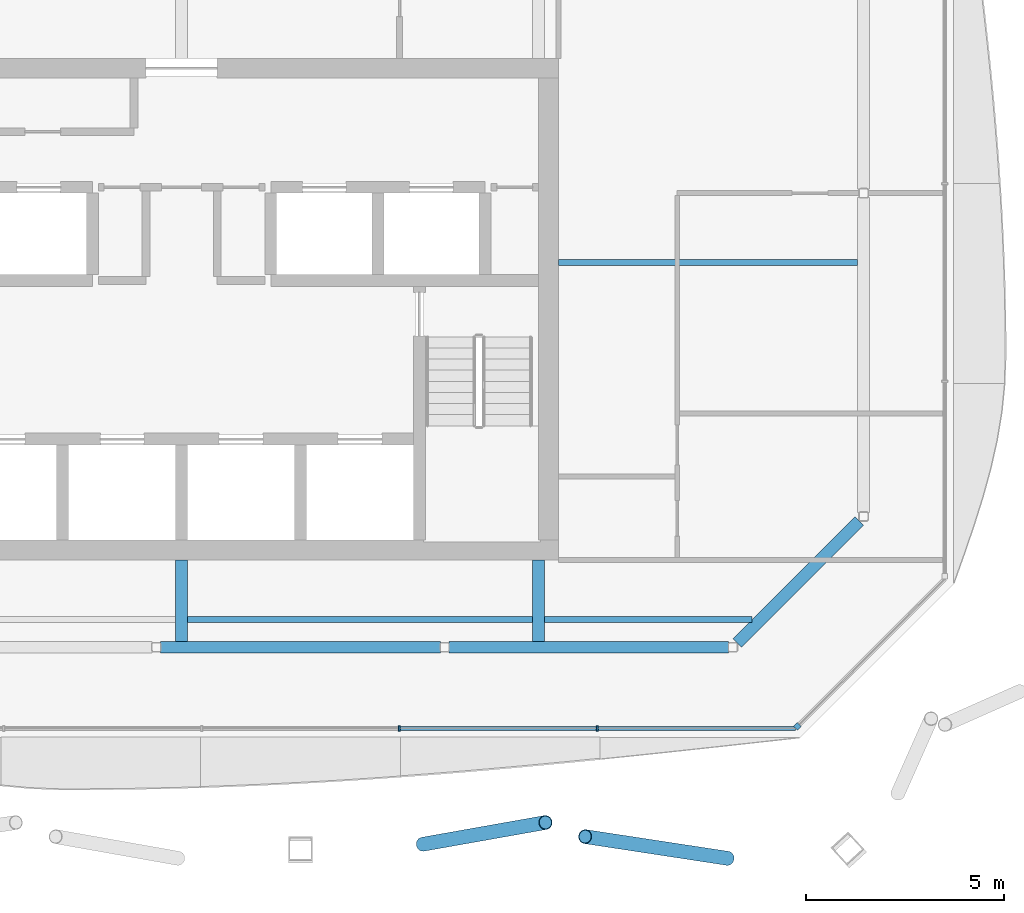
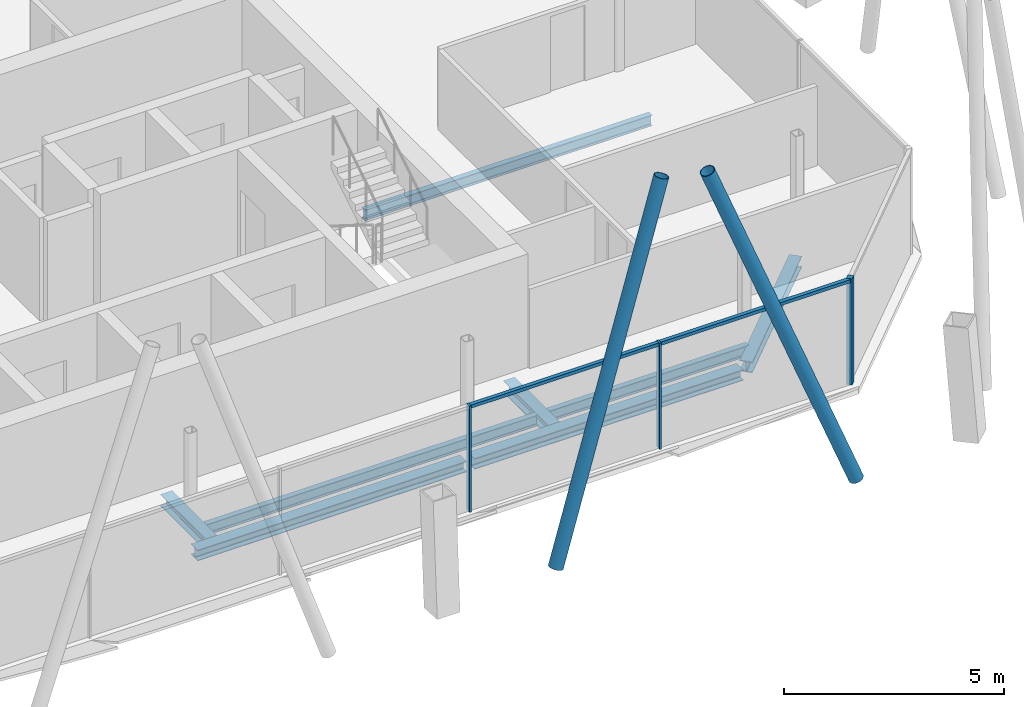
# One storey, part 4 of 14: 8 beams, 7 members, 2 elements without a shape of their own.
"""IFC4 building model written with IfcOpenShell, lengths in metres."""

from ifc_helpers import new_model, si_unit, direction, frame, origin, origin_2d, place, context, subcontext, project, spatial, rectangle, hollow_circle, i_section, extrude, material, material_profile, profile_set, type_object, element, aggregate, save


model = new_model("IFC4")

# Units and contexts
model_context = context("Model", 3, precision=1e-05, world=origin(), true_north=direction((0.0, 1.0)))
body_context = subcontext(model_context, "Body", "Model", "MODEL_VIEW")
ifc_project = project(units=[si_unit("LENGTHUNIT", "METRE"), si_unit("AREAUNIT", "SQUARE_METRE"), si_unit("VOLUMEUNIT", "CUBIC_METRE"), si_unit("PLANEANGLEUNIT", "RADIAN"), si_unit("MASSUNIT", "GRAM", prefix="KILO")], contexts=[model_context])

# Site, building, storey
site_placement = place(None, origin())
site = spatial("IfcSite", under=ifc_project, at=site_placement, CompositionType="ELEMENT")
building_placement = place(site_placement, origin())
building = spatial("IfcBuilding", under=site, at=building_placement, Name="Tskaro Facet Tower", CompositionType="ELEMENT")
storey_placement = place(building_placement, frame((0.0, 0.0, 268.949951171875)))
storey = spatial("IfcBuildingStorey", under=building, at=storey_placement, Name="L71", CompositionType="ELEMENT", Elevation=268.949951171875)

# Members
ifc_material_1 = material(Name="Steel S355J2H", Category="steel")
ifc_material_profile_1 = material_profile(ifc_material_1, hollow_circle(Radius=0.177734375, WallThickness=0.01611328125, at=origin_2d()), Name="CHS 355.6x16")
ifc_profile_set_1 = profile_set([ifc_material_profile_1], Name="Steel S355J2H")
member_type_1 = type_object("IfcMemberType", Name="CHS 355.6x16 brace", PredefinedType="BRACE", material=ifc_profile_set_1)
member_1_placement = place(storey_placement, frame((6.08837890625, -19.16748046875, 0.0), z_axis=(0.310196990074, 0.055021899117, 0.949078720637), x_axis=(-0.174651062893, 0.98463039067, 0.0)))
element("IfcMember", 1, at=member_1_placement, inside=storey, type_object=member_type_1, Name="CHS 355.6x16 XB02A/6", PredefinedType="BRACE", context=body_context, shape_type="SweptSolid", body=[
    extrude(hollow_circle(Radius=0.177734375, WallThickness=0.01611328125, at=origin_2d()), origin(), (0.0, 0.0, 1.0), 9.95703125),
])
member_2_placement = place(storey_placement, frame((13.766357421875, -19.52294921875, 0.0), z_axis=(-0.354515168788, 0.054093709088, 0.933484261108), x_axis=(-0.150839203541, -0.988558311216, 0.0)))
element("IfcMember", 2, at=member_2_placement, inside=storey, type_object=member_type_1, Name="CHS 355.6x16 XB02B/6", PredefinedType="BRACE", context=body_context, shape_type="SweptSolid", body=[
    extrude(hollow_circle(Radius=0.177734375, WallThickness=0.01611328125, at=origin_2d()), origin(), (0.0, 0.0, 1.0), 10.123291015625),
])

# Curtain wall, member
ifc_material_2 = material(Name="Bronze anodised aluminium 6063-T6", Category="aluminium")
curtain_wall_type = type_object("IfcCurtainWallType", Name="Bronze residence curtain wall (FW3)", PredefinedType="NOTDEFINED", material=ifc_material_2)
curtain_wall_1_placement = place(storey_placement, origin())
curtain_wall_1 = element("IfcCurtainWall", 3, at=curtain_wall_1_placement, inside=storey, type_object=curtain_wall_type, Name="FW3 south-east facet L71", PredefinedType="NOTDEFINED")
ifc_material_profile_2 = material_profile(ifc_material_2, rectangle(XDim=0.139892578125, YDim=0.139892578125, at=origin_2d()), Name="Corner post 140x140")
ifc_profile_set_2 = profile_set([ifc_material_profile_2], Name="Bronze anodised aluminium 6063-T6")
member_type_2 = type_object("IfcMemberType", Name="FW3 bronze corner post 140x140", PredefinedType="MULLION", material=ifc_profile_set_2)
member_3_placement = place(storey_placement, frame((15.528564453125, -16.196533203125, 0.0), z_axis=(0.0, 0.0, 1.0), x_axis=(0.707106781187, 0.707106781187, 0.0)))
member_3 = element("IfcMember", 4, at=member_3_placement, type_object=member_type_2, Name="FW3 south-east corner post", PredefinedType="MULLION", context=body_context, shape_type="SweptSolid", body=[
    extrude(rectangle(XDim=0.139892578125, YDim=0.139892578125, at=origin_2d()), origin(), (0.0, 0.0, 1.0), 2.949951171875),
])
aggregate(curtain_wall_1, [member_3])

# Curtain wall, members
curtain_wall_2_placement = place(storey_placement, origin())
curtain_wall_2 = element("IfcCurtainWall", 5, at=curtain_wall_2_placement, inside=storey, type_object=curtain_wall_type, Name="FW3 south facet L71", PredefinedType="NOTDEFINED")
ifc_material_profile_3 = material_profile(ifc_material_2, rectangle(XDim=0.050048828125, YDim=0.139892578125, at=origin_2d()), Name="Mullion 50x140")
ifc_profile_set_3 = profile_set([ifc_material_profile_3], Name="Bronze anodised aluminium 6063-T6")
member_type_3 = type_object("IfcMemberType", Name="FW3 bronze mullion 50x140", PredefinedType="MULLION", material=ifc_profile_set_3)
member_4_placement = place(storey_placement, frame((5.495849609375, -16.24609375, 0.0), z_axis=(0.0, 0.0, 1.0), x_axis=(1.0, 0.0, 0.0)))
member_4 = element("IfcMember", 6, at=member_4_placement, type_object=member_type_3, Name="FW3 south mullion 3", PredefinedType="MULLION", context=body_context, shape_type="SweptSolid", body=[
    extrude(rectangle(XDim=0.050048828125, YDim=0.139892578125, at=origin_2d()), origin(), (0.0, 0.0, 1.0), 2.949951171875),
])
member_5_placement = place(storey_placement, frame((10.4873046875, -16.24609375, 0.0), z_axis=(0.0, 0.0, 1.0), x_axis=(1.0, 0.0, 0.0)))
member_5 = element("IfcMember", 7, at=member_5_placement, type_object=member_type_3, Name="FW3 south mullion 4", PredefinedType="MULLION", context=body_context, shape_type="SweptSolid", body=[
    extrude(rectangle(XDim=0.050048828125, YDim=0.139892578125, at=origin_2d()), origin(), (0.0, 0.0, 1.0), 2.949951171875),
])
ifc_material_profile_4 = material_profile(ifc_material_2, rectangle(XDim=0.10009765625, YDim=0.090087890625, at=origin_2d()), Name="Transom 100x90")
ifc_profile_set_4 = profile_set([ifc_material_profile_4], Name="Bronze anodised aluminium 6063-T6")
member_type_4 = type_object("IfcMemberType", Name="FW3 bronze transom 100x90", PredefinedType="USERDEFINED", material=ifc_profile_set_4)
member_6_placement = place(storey_placement, frame((5.520751953125, -16.24609375, 2.905029296875), z_axis=(1.0, 0.0, 0.0), x_axis=(0.0, 1.0, 0.0)))
member_6 = element("IfcMember", 8, at=member_6_placement, type_object=member_type_4, Name="FW3 south transom 4.1", ObjectType="TRANSOM", PredefinedType="USERDEFINED", context=body_context, shape_type="SweptSolid", body=[
    extrude(rectangle(XDim=0.10009765625, YDim=0.090087890625, at=origin_2d()), origin(), (0.0, 0.0, 1.0), 4.941650390625),
])
member_7_placement = place(storey_placement, frame((10.512451171875, -16.24609375, 2.905029296875), z_axis=(1.0, 0.0, 0.0), x_axis=(0.0, 1.0, 0.0)))
member_7 = element("IfcMember", 9, at=member_7_placement, type_object=member_type_4, Name="FW3 south transom 5.1", ObjectType="TRANSOM", PredefinedType="USERDEFINED", context=body_context, shape_type="SweptSolid", body=[
    extrude(rectangle(XDim=0.10009765625, YDim=0.090087890625, at=origin_2d()), origin(), (0.0, 0.0, 1.0), 4.966552734375),
])
aggregate(curtain_wall_2, [member_4, member_5, member_6, member_7])

# Beams
ifc_material_3 = material(Name="Steel S355J2", Category="steel")
ifc_material_profile_5 = material_profile(ifc_material_3, i_section(OverallWidth=0.300048828125, OverallDepth=0.300048828125, WebThickness=0.010986328125, FlangeThickness=0.01904296875, FilletRadius=0.027099609375, at=origin_2d()), Name="HE 300 B")
ifc_profile_set_5 = profile_set([ifc_material_profile_5], Name="Steel S355J2")
beam_type_1 = type_object("IfcBeamType", Name="HE 300 B ring beam", PredefinedType="BEAM", material=ifc_profile_set_5)
beam_1_placement = place(storey_placement, frame((-0.529052734375, -14.199951171875, -0.2900390625), z_axis=(1.0, 0.0, 0.0), x_axis=(0.0, 1.0, 0.0)))
element("IfcBeam", 10, at=beam_1_placement, inside=storey, type_object=beam_type_1, Name="HE 300 B EB2-6", PredefinedType="BEAM", context=body_context, shape_type="SweptSolid", body=[
    extrude(i_section(OverallWidth=0.300048828125, OverallDepth=0.300048828125, WebThickness=0.010986328125, FlangeThickness=0.01904296875, FilletRadius=0.027099609375, at=origin_2d()), origin(), (0.0, 0.0, 1.0), 7.05810546875),
])
beam_2_placement = place(storey_placement, frame((6.739013671875, -14.199951171875, -0.2900390625), z_axis=(1.0, 0.0, 0.0), x_axis=(0.0, 1.0, 0.0)))
element("IfcBeam", 11, at=beam_2_placement, inside=storey, type_object=beam_type_1, Name="HE 300 B EB3-6", PredefinedType="BEAM", context=body_context, shape_type="SweptSolid", body=[
    extrude(i_section(OverallWidth=0.300048828125, OverallDepth=0.300048828125, WebThickness=0.010986328125, FlangeThickness=0.01904296875, FilletRadius=0.027099609375, at=origin_2d()), origin(), (0.0, 0.0, 1.0), 7.05908203125),
])
beam_3_placement = place(storey_placement, frame((14.013916015625, -14.089111328125, -0.2900390625), z_axis=(0.707106781187, 0.707106781187, 0.0), x_axis=(-0.707106781187, 0.707106781187, 0.0)))
element("IfcBeam", 12, at=beam_3_placement, inside=storey, type_object=beam_type_1, Name="HE 300 B EB4-6", PredefinedType="BEAM", context=body_context, shape_type="SweptSolid", body=[
    extrude(i_section(OverallWidth=0.300048828125, OverallDepth=0.300048828125, WebThickness=0.010986328125, FlangeThickness=0.01904296875, FilletRadius=0.027099609375, at=origin_2d()), origin(), (0.0, 0.0, 1.0), 4.348876953125),
])
ifc_material_profile_6 = material_profile(ifc_material_3, i_section(OverallWidth=0.300048828125, OverallDepth=0.330078125, WebThickness=0.009521484375, FlangeThickness=0.0166015625, FilletRadius=0.027099609375, at=origin_2d()), Name="HE 340 A")
ifc_profile_set_6 = profile_set([ifc_material_profile_6], Name="Steel S355J2")
beam_type_2 = type_object("IfcBeamType", Name="HE 340 A girder", PredefinedType="BEAM", material=ifc_profile_set_6)
for number, where, z_axis, x_axis, name in (
    (13, (0.0, -14.050048828125, -0.304931640625), (0.0, 1.0, 0.0), (-1.0, 0.0, 0.0), "HE 340 A GB4-1-6"),
    (14, (9.0, -14.050048828125, -0.304931640625), (0.0, 1.0, 0.0), (-1.0, 0.0, 0.0), "HE 340 A GB5-1-6"),
):
    element("IfcBeam", number, at=place(storey_placement, frame(where, z_axis=z_axis, x_axis=x_axis)), inside=storey, type_object=beam_type_2, Name=name, PredefinedType="BEAM", context=body_context, shape_type="SweptSolid", body=[
        extrude(i_section(OverallWidth=0.300048828125, OverallDepth=0.330078125, WebThickness=0.009521484375, FlangeThickness=0.0166015625, FilletRadius=0.027099609375, at=origin_2d()), origin(), (0.0, 0.0, 1.0), 2.050048828125),
    ])
ifc_material_profile_7 = material_profile(ifc_material_3, i_section(OverallWidth=0.14990234375, OverallDepth=0.300048828125, WebThickness=0.007080078125, FlangeThickness=0.0107421875, FilletRadius=0.014892578125, at=origin_2d()), Name="IPE 300")
ifc_profile_set_7 = profile_set([ifc_material_profile_7], Name="Steel S355J2")
beam_type_3 = type_object("IfcBeamType", Name="IPE 300 secondary beam", PredefinedType="BEAM", material=ifc_profile_set_7)
beam_4_placement = place(storey_placement, frame((0.14990234375, -13.5, -0.2900390625), z_axis=(1.0, 0.0, 0.0), x_axis=(0.0, 1.0, 0.0)))
element("IfcBeam", 15, at=beam_4_placement, inside=storey, type_object=beam_type_3, Name="IPE 300 SB2a-2-6", PredefinedType="BEAM", context=body_context, shape_type="SweptSolid", body=[
    extrude(i_section(OverallWidth=0.14990234375, OverallDepth=0.300048828125, WebThickness=0.007080078125, FlangeThickness=0.0107421875, FilletRadius=0.014892578125, at=origin_2d()), origin(), (0.0, 0.0, 1.0), 8.7001953125),
])
beam_5_placement = place(storey_placement, frame((9.14990234375, -13.5, -0.2900390625), z_axis=(1.0, 0.0, 0.0), x_axis=(0.0, 1.0, 0.0)))
element("IfcBeam", 16, at=beam_5_placement, inside=storey, type_object=beam_type_3, Name="IPE 300 SB2a-3-6", PredefinedType="BEAM", context=body_context, shape_type="SweptSolid", body=[
    extrude(i_section(OverallWidth=0.14990234375, OverallDepth=0.300048828125, WebThickness=0.007080078125, FlangeThickness=0.0107421875, FilletRadius=0.014892578125, at=origin_2d()), origin(), (0.0, 0.0, 1.0), 5.2412109375),
])
beam_6_placement = place(storey_placement, frame((9.5, -4.5, -0.2900390625), z_axis=(1.0, 0.0, 0.0), x_axis=(0.0, 1.0, 0.0)))
element("IfcBeam", 17, at=beam_6_placement, inside=storey, type_object=beam_type_3, Name="IPE 300 SB3a-2-6", PredefinedType="BEAM", context=body_context, shape_type="SweptSolid", body=[
    extrude(i_section(OverallWidth=0.14990234375, OverallDepth=0.300048828125, WebThickness=0.007080078125, FlangeThickness=0.0107421875, FilletRadius=0.014892578125, at=origin_2d()), origin(), (0.0, 0.0, 1.0), 7.550048828125),
])

save(model, "model.ifc")
